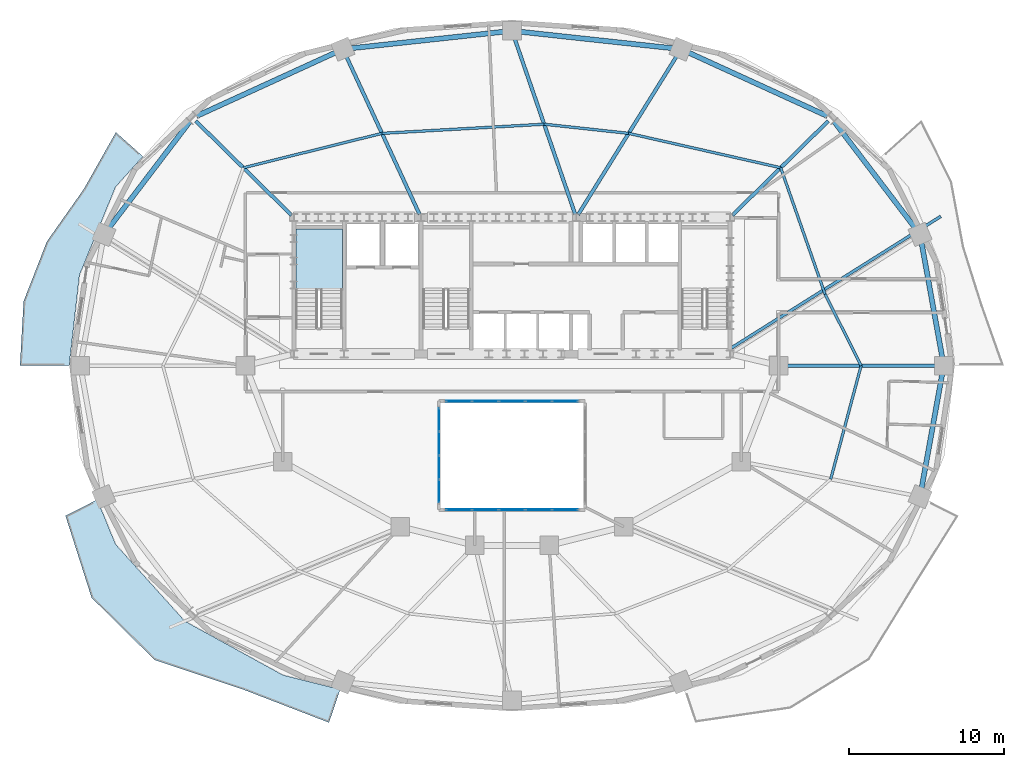
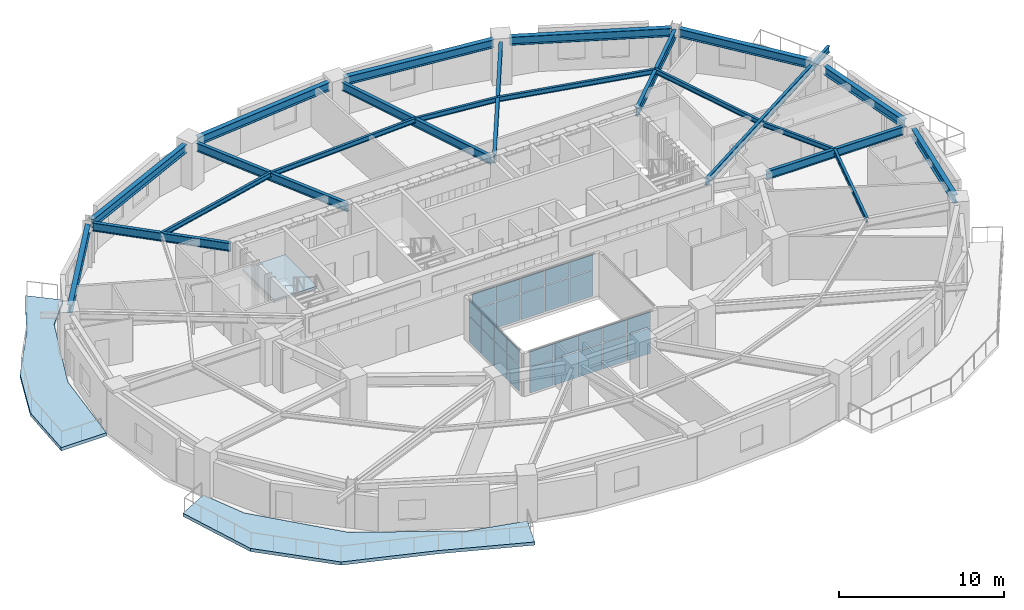
# One storey, part 5 of 13: 28 plates, 22 beams, 3 slabs, 4 elements without a shape of their own.
"""IFC4 building model written with IfcOpenShell, lengths in metres."""

from ifc_helpers import new_model, si_unit, direction, frame, origin, origin_2d, place, context, subcontext, project, spatial, polyline, rectangle, i_section, outline, extrude, material, layer, layer_set, material_profile, profile_set, type_object, element, aggregate, save


model = new_model("IFC4")

# Units and contexts
model_context = context("Model", 3, precision=1e-05, world=origin(), true_north=direction((0.0, 1.0)))
body_context = subcontext(model_context, "Body", "Model", "MODEL_VIEW")
ifc_project = project(units=[si_unit("LENGTHUNIT", "METRE"), si_unit("AREAUNIT", "SQUARE_METRE"), si_unit("VOLUMEUNIT", "CUBIC_METRE"), si_unit("PLANEANGLEUNIT", "RADIAN"), si_unit("MASSUNIT", "GRAM", prefix="KILO")], contexts=[model_context])

# Site, building, storey
site_placement = place(None, origin())
site = spatial("IfcSite", under=ifc_project, at=site_placement, CompositionType="ELEMENT")
building_placement = place(site_placement, origin())
building = spatial("IfcBuilding", under=site, at=building_placement, Name="Haldorwick Loom Tower", CompositionType="ELEMENT")
storey_placement = place(building_placement, frame((0.0, 0.0, 120.800048828125)))
storey = spatial("IfcBuildingStorey", under=building, at=storey_placement, Name="L32", CompositionType="ELEMENT", Elevation=120.800048828125)

# Beams
ifc_material_1 = material(Name="Steel CSA G40.21 350W", Category="steel")
ifc_material_profile_1 = material_profile(ifc_material_1, i_section(OverallWidth=0.193115234375, OverallDepth=0.466064453125, WebThickness=0.011474609375, FlangeThickness=0.01904296875, at=origin_2d()), Name="W460X97", Category="steel")
ifc_profile_set_1 = profile_set([ifc_material_profile_1], Name="Steel CSA G40.21 350W")
beam_type_1 = type_object("IfcBeamType", Name="STR-BM-BAL460", PredefinedType="BEAM", material=ifc_profile_set_1)
beam_1_placement = place(storey_placement, frame((50.111572265625, 27.106689453125, 2.97705078125), z_axis=(0.846609845451, 0.532214026108, 0.0), x_axis=(-0.532214026108, 0.846609845451, 0.0)))
element("IfcBeam", 1, at=beam_1_placement, inside=storey, type_object=beam_type_1, Name="L32 Continuous Back-Spanned Balcony Beam 4", PredefinedType="BEAM", context=body_context, shape_type="SweptSolid", body=[
    extrude(i_section(OverallWidth=0.193115234375, OverallDepth=0.466064453125, WebThickness=0.011474609375, FlangeThickness=0.01904296875, at=origin_2d()), origin(), (0.0, 0.0, 1.0), 16.0068359375),
])
ifc_material_profile_2 = material_profile(ifc_material_1, i_section(OverallWidth=0.172119140625, OverallDepth=0.35791015625, WebThickness=0.0078125, FlangeThickness=0.01318359375, at=origin_2d()), Name="W360X57", Category="steel")
ifc_profile_set_2 = profile_set([ifc_material_profile_2], Name="Steel CSA G40.21 350W")
beam_type_2 = type_object("IfcBeamType", Name="STR-BM-J360", PredefinedType="JOIST", material=ifc_profile_set_2)
beam_2_placement = place(storey_placement, frame((58.52880859375, 26.0, 3.031005859375), z_axis=(-0.451373231558, 0.892335254169, 0.0), x_axis=(-0.892335254169, -0.451373231558, 0.0)))
element("IfcBeam", 2, at=beam_2_placement, inside=storey, type_object=beam_type_2, Name="L32 Mid-Bay Secondary Joist 1", PredefinedType="JOIST", context=body_context, shape_type="SweptSolid", body=[
    extrude(i_section(OverallWidth=0.172119140625, OverallDepth=0.35791015625, WebThickness=0.0078125, FlangeThickness=0.01318359375, at=origin_2d()), origin(), (0.0, 0.0, 1.0), 5.158935546875),
])
beam_3_placement = place(storey_placement, frame((56.2001953125, 30.603515625, 3.031005859375), z_axis=(-0.330864603503, 0.943678236556, 0.0), x_axis=(-0.943678236556, -0.330864603503, 0.0)))
element("IfcBeam", 3, at=beam_3_placement, inside=storey, type_object=beam_type_2, Name="L32 Mid-Bay Secondary Joist 2", PredefinedType="JOIST", context=body_context, shape_type="SweptSolid", body=[
    extrude(i_section(OverallWidth=0.172119140625, OverallDepth=0.35791015625, WebThickness=0.0078125, FlangeThickness=0.01318359375, at=origin_2d()), origin(), (0.0, 0.0, 1.0), 8.6494140625),
])
beam_4_placement = place(storey_placement, frame((53.33837890625, 38.765869140625, 3.031005859375), z_axis=(-0.975380231772, 0.22052982444, 0.0), x_axis=(-0.22052982444, -0.975380231772, 0.0)))
element("IfcBeam", 4, at=beam_4_placement, inside=storey, type_object=beam_type_2, Name="L32 Mid-Bay Secondary Joist 3", PredefinedType="JOIST", context=body_context, shape_type="SweptSolid", body=[
    extrude(i_section(OverallWidth=0.172119140625, OverallDepth=0.35791015625, WebThickness=0.0078125, FlangeThickness=0.01318359375, at=origin_2d()), origin(), (0.0, 0.0, 1.0), 10.0576171875),
])
beam_5_placement = place(storey_placement, frame((43.5283203125, 40.98388671875, 3.031005859375), z_axis=(-0.994191869342, 0.107622148904, 0.0), x_axis=(-0.107622148904, -0.994191869342, 0.0)))
element("IfcBeam", 5, at=beam_5_placement, inside=storey, type_object=beam_type_2, Name="L32 Mid-Bay Secondary Joist 4", PredefinedType="JOIST", context=body_context, shape_type="SweptSolid", body=[
    extrude(i_section(OverallWidth=0.172119140625, OverallDepth=0.35791015625, WebThickness=0.0078125, FlangeThickness=0.01318359375, at=origin_2d()), origin(), (0.0, 0.0, 1.0), 5.485107421875),
])
beam_6_placement = place(storey_placement, frame((38.074951171875, 41.57421875, 3.031005859375), z_axis=(-0.998412171013, -0.056330602457, 0.0), x_axis=(0.056330602457, -0.998412171013, 0.0)))
element("IfcBeam", 6, at=beam_6_placement, inside=storey, type_object=beam_type_2, Name="L32 Mid-Bay Secondary Joist 5", PredefinedType="JOIST", context=body_context, shape_type="SweptSolid", body=[
    extrude(i_section(OverallWidth=0.172119140625, OverallDepth=0.35791015625, WebThickness=0.0078125, FlangeThickness=0.01318359375, at=origin_2d()), origin(), (0.0, 0.0, 1.0), 10.479736328125),
])
beam_7_placement = place(storey_placement, frame((27.61181640625, 40.98388671875, 3.031005859375), z_axis=(-0.970638838364, -0.240541567009, 0.0), x_axis=(0.240541567009, -0.970638838364, 0.0)))
element("IfcBeam", 7, at=beam_7_placement, inside=storey, type_object=beam_type_2, Name="L32 Mid-Bay Secondary Joist 6", PredefinedType="JOIST", context=body_context, shape_type="SweptSolid", body=[
    extrude(i_section(OverallWidth=0.172119140625, OverallDepth=0.35791015625, WebThickness=0.0078125, FlangeThickness=0.01318359375, at=origin_2d()), origin(), (0.0, 0.0, 1.0), 9.220947265625),
])
beam_8_placement = place(storey_placement, frame((56.565185546875, 18.67138671875, 3.031005859375), z_axis=(0.258810072536, 0.965928230436, 0.0), x_axis=(-0.965928230436, 0.258810072536, 0.0)))
element("IfcBeam", 8, at=beam_8_placement, inside=storey, type_object=beam_type_2, Name="L32 Mid-Bay Secondary Joist 16", PredefinedType="JOIST", context=body_context, shape_type="SweptSolid", body=[
    extrude(i_section(OverallWidth=0.172119140625, OverallDepth=0.35791015625, WebThickness=0.0078125, FlangeThickness=0.01318359375, at=origin_2d()), origin(), (0.0, 0.0, 1.0), 7.587158203125),
])
ifc_material_profile_3 = material_profile(ifc_material_1, i_section(OverallWidth=0.324951171875, OverallDepth=0.615966796875, WebThickness=0.013916015625, FlangeThickness=0.021484375, at=origin_2d()), Name="W610X174", Category="steel")
ifc_profile_set_3 = profile_set([ifc_material_profile_3], Name="Steel CSA G40.21 350W")
beam_type_3 = type_object("IfcBeamType", Name="STR-BM-SP610", PredefinedType="SPANDREL", material=ifc_profile_set_3)
beam_9_placement = place(storey_placement, frame((63.76513671875, 26.51171875, 2.90185546875), z_axis=(-0.177659490888, 0.984092020747, 0.0), x_axis=(-0.984092020747, -0.177659490888, 0.0)))
element("IfcBeam", 9, at=beam_9_placement, inside=storey, type_object=beam_type_3, Name="L32 Perimeter Spandrel 1", PredefinedType="SPANDREL", context=body_context, shape_type="SweptSolid", body=[
    extrude(i_section(OverallWidth=0.324951171875, OverallDepth=0.615966796875, WebThickness=0.013916015625, FlangeThickness=0.021484375, at=origin_2d()), origin(), (0.0, 0.0, 1.0), 7.553955078125),
])
beam_10_placement = place(storey_placement, frame((62.015869140625, 34.87109375, 2.90185546875), z_axis=(-0.605453508047, 0.795880675475, 0.0), x_axis=(-0.795880675475, -0.605453508047, 0.0)))
element("IfcBeam", 10, at=beam_10_placement, inside=storey, type_object=beam_type_3, Name="L32 Perimeter Spandrel 2", PredefinedType="SPANDREL", context=body_context, shape_type="SweptSolid", body=[
    extrude(i_section(OverallWidth=0.324951171875, OverallDepth=0.615966796875, WebThickness=0.013916015625, FlangeThickness=0.021484375, at=origin_2d()), origin(), (0.0, 0.0, 1.0), 8.6591796875),
])
beam_11_placement = place(storey_placement, frame((56.356689453125, 42.09619140625, 2.90185546875), z_axis=(-0.909423969306, 0.415870225011, 0.0), x_axis=(-0.415870225011, -0.909423969306, 0.0)))
element("IfcBeam", 11, at=beam_11_placement, inside=storey, type_object=beam_type_3, Name="L32 Perimeter Spandrel 3", PredefinedType="SPANDREL", context=body_context, shape_type="SweptSolid", body=[
    extrude(i_section(OverallWidth=0.324951171875, OverallDepth=0.615966796875, WebThickness=0.013916015625, FlangeThickness=0.021484375, at=origin_2d()), origin(), (0.0, 0.0, 1.0), 9.871337890625),
])
for number, where, z_axis, x_axis, name in (
    (12, (46.389404296875, 46.4736328125, 2.90185546875), (-0.994190135627, 0.107638163409, 0.0), (-0.107638163409, -0.994190135627, 0.0), "L32 Perimeter Spandrel 4"),
    (13, (35.48291015625, 47.54248046875, 2.90185546875), (-0.994190135627, -0.107638163409, 0.0), (0.107638163409, -0.994190135627, 0.0), "L32 Perimeter Spandrel 5"),
):
    element("IfcBeam", number, at=place(storey_placement, frame(where, z_axis=z_axis, x_axis=x_axis)), inside=storey, type_object=beam_type_3, Name=name, PredefinedType="SPANDREL", context=body_context, shape_type="SweptSolid", body=[
        extrude(i_section(OverallWidth=0.324951171875, OverallDepth=0.615966796875, WebThickness=0.013916015625, FlangeThickness=0.021484375, at=origin_2d()), origin(), (0.0, 0.0, 1.0), 9.929931640625),
    ])
beam_12_placement = place(storey_placement, frame((24.62060546875, 46.201416015625, 2.90185546875), z_axis=(-0.909423969306, -0.415870225011, 0.0), x_axis=(0.415870225011, -0.909423969306, 0.0)))
element("IfcBeam", 14, at=beam_12_placement, inside=storey, type_object=beam_type_3, Name="L32 Perimeter Spandrel 6", PredefinedType="SPANDREL", context=body_context, shape_type="SweptSolid", body=[
    extrude(i_section(OverallWidth=0.324951171875, OverallDepth=0.615966796875, WebThickness=0.013916015625, FlangeThickness=0.021484375, at=origin_2d()), origin(), (0.0, 0.0, 1.0), 9.871337890625),
])
beam_13_placement = place(storey_placement, frame((15.226806640625, 41.7626953125, 2.90185546875), z_axis=(-0.605453508047, -0.795880675475, 0.0), x_axis=(0.795880675475, -0.605453508047, 0.0)))
element("IfcBeam", 15, at=beam_13_placement, inside=storey, type_object=beam_type_3, Name="L32 Perimeter Spandrel 7", PredefinedType="SPANDREL", context=body_context, shape_type="SweptSolid", body=[
    extrude(i_section(OverallWidth=0.324951171875, OverallDepth=0.615966796875, WebThickness=0.013916015625, FlangeThickness=0.021484375, at=origin_2d()), origin(), (0.0, 0.0, 1.0), 8.6591796875),
])
beam_14_placement = place(storey_placement, frame((62.423095703125, 18.054443359375, 2.90185546875), z_axis=(0.177659490888, 0.984092020747, 0.0), x_axis=(-0.984092020747, 0.177659490888, 0.0)))
element("IfcBeam", 16, at=beam_14_placement, inside=storey, type_object=beam_type_3, Name="L32 Perimeter Spandrel 16", PredefinedType="SPANDREL", context=body_context, shape_type="SweptSolid", body=[
    extrude(i_section(OverallWidth=0.324951171875, OverallDepth=0.615966796875, WebThickness=0.013916015625, FlangeThickness=0.021484375, at=origin_2d()), origin(), (0.0, 0.0, 1.0), 7.553955078125),
])
ifc_material_profile_4 = material_profile(ifc_material_1, i_section(OverallWidth=0.22998046875, OverallDepth=0.616943359375, WebThickness=0.01318359375, FlangeThickness=0.022216796875, at=origin_2d()), Name="W610X140", Category="steel")
ifc_profile_set_4 = profile_set([ifc_material_profile_4], Name="Steel CSA G40.21 350W")
beam_type_4 = type_object("IfcBeamType", Name="STR-BM-W610B", PredefinedType="BEAM", material=ifc_profile_set_4)
beam_15_placement = place(storey_placement, frame((53.719970703125, 26.0, 2.9013671875), z_axis=(1.0, 0.0, 0.0), x_axis=(0.0, 1.0, 0.0)))
element("IfcBeam", 17, at=beam_15_placement, inside=storey, type_object=beam_type_4, Name="L32 Radial Floor Girder 1", PredefinedType="BEAM", context=body_context, shape_type="SweptSolid", body=[
    extrude(i_section(OverallWidth=0.22998046875, OverallDepth=0.616943359375, WebThickness=0.01318359375, FlangeThickness=0.022216796875, at=origin_2d()), origin(), (0.0, 0.0, 1.0), 9.61767578125),
])
beam_16_placement = place(storey_placement, frame((50.23046875, 35.707763671875, 2.9013671875), z_axis=(0.712813667541, 0.701353459653, 0.0), x_axis=(-0.701353459653, 0.712813667541, 0.0)))
element("IfcBeam", 18, at=beam_16_placement, inside=storey, type_object=beam_type_4, Name="L32 Radial Floor Girder 3", PredefinedType="BEAM", context=body_context, shape_type="SweptSolid", body=[
    extrude(i_section(OverallWidth=0.22998046875, OverallDepth=0.616943359375, WebThickness=0.01318359375, FlangeThickness=0.022216796875, at=origin_2d()), origin(), (0.0, 0.0, 1.0), 8.67041015625),
])
beam_17_placement = place(storey_placement, frame((40.268798828125, 35.7412109375, 2.9013671875), z_axis=(0.527983484361, 0.849254638046, 0.0), x_axis=(-0.849254638046, 0.527983484361, 0.0)))
element("IfcBeam", 19, at=beam_17_placement, inside=storey, type_object=beam_type_4, Name="L32 Radial Floor Girder 4", PredefinedType="BEAM", context=body_context, shape_type="SweptSolid", body=[
    extrude(i_section(OverallWidth=0.22998046875, OverallDepth=0.616943359375, WebThickness=0.01318359375, FlangeThickness=0.022216796875, at=origin_2d()), origin(), (0.0, 0.0, 1.0), 12.051513671875),
])
beam_18_placement = place(storey_placement, frame((40.07666015625, 35.7626953125, 2.9013671875), z_axis=(-0.325673980289, 0.945482130218, 0.0), x_axis=(-0.945482130218, -0.325673980289, 0.0)))
element("IfcBeam", 20, at=beam_18_placement, inside=storey, type_object=beam_type_4, Name="L32 Radial Floor Girder 5", PredefinedType="BEAM", context=body_context, shape_type="SweptSolid", body=[
    extrude(i_section(OverallWidth=0.22998046875, OverallDepth=0.616943359375, WebThickness=0.01318359375, FlangeThickness=0.022216796875, at=origin_2d()), origin(), (0.0, 0.0, 1.0), 11.998046875),
])
beam_19_placement = place(storey_placement, frame((30.035400390625, 35.754150390625, 2.9013671875), z_axis=(-0.420492432459, 0.907296045536, 0.0), x_axis=(-0.907296045536, -0.420492432459, 0.0)))
element("IfcBeam", 21, at=beam_19_placement, inside=storey, type_object=beam_type_4, Name="L32 Radial Floor Girder 6", PredefinedType="BEAM", context=body_context, shape_type="SweptSolid", body=[
    extrude(i_section(OverallWidth=0.22998046875, OverallDepth=0.616943359375, WebThickness=0.01318359375, FlangeThickness=0.022216796875, at=origin_2d()), origin(), (0.0, 0.0, 1.0), 11.23291015625),
])
beam_20_placement = place(storey_placement, frame((21.76953125, 35.707763671875, 2.9013671875), z_axis=(-0.712813667541, 0.701353459653, 0.0), x_axis=(-0.701353459653, -0.712813667541, 0.0)))
element("IfcBeam", 22, at=beam_20_placement, inside=storey, type_object=beam_type_4, Name="L32 Radial Floor Girder 7", PredefinedType="BEAM", context=body_context, shape_type="SweptSolid", body=[
    extrude(i_section(OverallWidth=0.22998046875, OverallDepth=0.616943359375, WebThickness=0.01318359375, FlangeThickness=0.022216796875, at=origin_2d()), origin(), (0.0, 0.0, 1.0), 8.67041015625),
])

# Curtain wall, plates
ifc_material_2 = material(Name="Thermally Broken Anodized Aluminium Curtain Wall Framing", Category="aluminium")
curtain_wall_type = type_object("IfcCurtainWallType", Name="ARC-CW-03", PredefinedType="NOTDEFINED", material=ifc_material_2)
curtain_wall_1_placement = place(storey_placement, origin())
curtain_wall_1 = element("IfcCurtainWall", 23, at=curtain_wall_1_placement, inside=storey, type_object=curtain_wall_type, Name="L32 Atrium Glazed Screen S", PredefinedType="NOTDEFINED")
ifc_material_3 = material(Name="Triple-Glazed Low-E Argon Insulated Glazing Unit", Category="glass")
ifc_layer_1 = layer(ifc_material_3, 0.04296875, Name="Triple-Glazed Low-E Argon Insulated Glazing Unit", Category="glass")
ifc_layer_set_1 = layer_set([ifc_layer_1], Name="Triple-Glazed Low-E Argon Insulated Glazing Unit")
plate_type = type_object("IfcPlateType", Name="ARC-CWP-03", PredefinedType="CURTAIN_PANEL", material=ifc_layer_set_1)
plate_1_placement = place(storey_placement, frame((39.423583984375, 16.699951171875, 0.06591796875), z_axis=(0.0, 0.0, 1.0), x_axis=(-1.0, 0.0, 0.0)))
plate_1 = element("IfcPlate", 24, at=plate_1_placement, type_object=plate_type, Name="CW-03 panel 1.1", PredefinedType="CURTAIN_PANEL", context=body_context, shape_type="SweptSolid", body=[
    extrude(rectangle(XDim=1.62109375, YDim=0.04296875, at=origin_2d()), origin(), (0.0, 0.0, 1.0), 1.90087890625),
])
plate_2_placement = place(storey_placement, frame((39.423583984375, 16.699951171875, 2.03271484375), z_axis=(0.0, 0.0, 1.0), x_axis=(-1.0, 0.0, 0.0)))
plate_2 = element("IfcPlate", 25, at=plate_2_placement, type_object=plate_type, Name="CW-03 panel 1.2", PredefinedType="CURTAIN_PANEL", context=body_context, shape_type="SweptSolid", body=[
    extrude(rectangle(XDim=1.62109375, YDim=0.04296875, at=origin_2d()), origin(), (0.0, 0.0, 1.0), 1.111083984375),
])
plate_3_placement = place(storey_placement, frame((37.719970703125, 16.699951171875, 0.06591796875), z_axis=(0.0, 0.0, 1.0), x_axis=(-1.0, 0.0, 0.0)))
plate_3 = element("IfcPlate", 26, at=plate_3_placement, type_object=plate_type, Name="CW-03 panel 2.1", PredefinedType="CURTAIN_PANEL", context=body_context, shape_type="SweptSolid", body=[
    extrude(rectangle(XDim=1.654052734375, YDim=0.04296875, at=origin_2d()), origin(), (0.0, 0.0, 1.0), 1.90087890625),
])
plate_4_placement = place(storey_placement, frame((37.719970703125, 16.699951171875, 2.03271484375), z_axis=(0.0, 0.0, 1.0), x_axis=(-1.0, 0.0, 0.0)))
plate_4 = element("IfcPlate", 27, at=plate_4_placement, type_object=plate_type, Name="CW-03 panel 2.2", PredefinedType="CURTAIN_PANEL", context=body_context, shape_type="SweptSolid", body=[
    extrude(rectangle(XDim=1.654052734375, YDim=0.04296875, at=origin_2d()), origin(), (0.0, 0.0, 1.0), 1.111083984375),
])
plate_5_placement = place(storey_placement, frame((36.0, 16.699951171875, 0.06591796875), z_axis=(0.0, 0.0, 1.0), x_axis=(-1.0, 0.0, 0.0)))
plate_5 = element("IfcPlate", 28, at=plate_5_placement, type_object=plate_type, Name="CW-03 panel 3.1", PredefinedType="CURTAIN_PANEL", context=body_context, shape_type="SweptSolid", body=[
    extrude(rectangle(XDim=1.654052734375, YDim=0.04296875, at=origin_2d()), origin(), (0.0, 0.0, 1.0), 1.90087890625),
])
plate_6_placement = place(storey_placement, frame((36.0, 16.699951171875, 2.03271484375), z_axis=(0.0, 0.0, 1.0), x_axis=(-1.0, 0.0, 0.0)))
plate_6 = element("IfcPlate", 29, at=plate_6_placement, type_object=plate_type, Name="CW-03 panel 3.2", PredefinedType="CURTAIN_PANEL", context=body_context, shape_type="SweptSolid", body=[
    extrude(rectangle(XDim=1.654052734375, YDim=0.04296875, at=origin_2d()), origin(), (0.0, 0.0, 1.0), 1.111083984375),
])
plate_7_placement = place(storey_placement, frame((34.280029296875, 16.699951171875, 0.06591796875), z_axis=(0.0, 0.0, 1.0), x_axis=(-1.0, 0.0, 0.0)))
plate_7 = element("IfcPlate", 30, at=plate_7_placement, type_object=plate_type, Name="CW-03 panel 4.1", PredefinedType="CURTAIN_PANEL", context=body_context, shape_type="SweptSolid", body=[
    extrude(rectangle(XDim=1.654052734375, YDim=0.04296875, at=origin_2d()), origin(), (0.0, 0.0, 1.0), 1.90087890625),
])
plate_8_placement = place(storey_placement, frame((34.280029296875, 16.699951171875, 2.03271484375), z_axis=(0.0, 0.0, 1.0), x_axis=(-1.0, 0.0, 0.0)))
plate_8 = element("IfcPlate", 31, at=plate_8_placement, type_object=plate_type, Name="CW-03 panel 4.2", PredefinedType="CURTAIN_PANEL", context=body_context, shape_type="SweptSolid", body=[
    extrude(rectangle(XDim=1.654052734375, YDim=0.04296875, at=origin_2d()), origin(), (0.0, 0.0, 1.0), 1.111083984375),
])
plate_9_placement = place(storey_placement, frame((32.576416015625, 16.699951171875, 0.06591796875), z_axis=(0.0, 0.0, 1.0), x_axis=(-1.0, 0.0, 0.0)))
plate_9 = element("IfcPlate", 32, at=plate_9_placement, type_object=plate_type, Name="CW-03 panel 5.1", PredefinedType="CURTAIN_PANEL", context=body_context, shape_type="SweptSolid", body=[
    extrude(rectangle(XDim=1.62109375, YDim=0.04296875, at=origin_2d()), origin(), (0.0, 0.0, 1.0), 1.90087890625),
])
plate_10_placement = place(storey_placement, frame((32.576416015625, 16.699951171875, 2.03271484375), z_axis=(0.0, 0.0, 1.0), x_axis=(-1.0, 0.0, 0.0)))
plate_10 = element("IfcPlate", 33, at=plate_10_placement, type_object=plate_type, Name="CW-03 panel 5.2", PredefinedType="CURTAIN_PANEL", context=body_context, shape_type="SweptSolid", body=[
    extrude(rectangle(XDim=1.62109375, YDim=0.04296875, at=origin_2d()), origin(), (0.0, 0.0, 1.0), 1.111083984375),
])
aggregate(curtain_wall_1, [plate_1, plate_2, plate_3, plate_4, plate_5, plate_6, plate_7, plate_8, plate_9, plate_10])

curtain_wall_2_placement = place(storey_placement, origin())
curtain_wall_2 = element("IfcCurtainWall", 34, at=curtain_wall_2_placement, inside=storey, type_object=curtain_wall_type, Name="L32 Atrium Glazed Screen N", PredefinedType="NOTDEFINED")
plate_11_placement = place(storey_placement, frame((32.576416015625, 23.699951171875, 0.06591796875), z_axis=(0.0, 0.0, 1.0), x_axis=(1.0, 0.0, 0.0)))
plate_11 = element("IfcPlate", 35, at=plate_11_placement, type_object=plate_type, Name="CW-03 panel 1.1", PredefinedType="CURTAIN_PANEL", context=body_context, shape_type="SweptSolid", body=[
    extrude(rectangle(XDim=1.62109375, YDim=0.04296875, at=origin_2d()), origin(), (0.0, 0.0, 1.0), 1.90087890625),
])
plate_12_placement = place(storey_placement, frame((32.576416015625, 23.699951171875, 2.03271484375), z_axis=(0.0, 0.0, 1.0), x_axis=(1.0, 0.0, 0.0)))
plate_12 = element("IfcPlate", 36, at=plate_12_placement, type_object=plate_type, Name="CW-03 panel 1.2", PredefinedType="CURTAIN_PANEL", context=body_context, shape_type="SweptSolid", body=[
    extrude(rectangle(XDim=1.62109375, YDim=0.04296875, at=origin_2d()), origin(), (0.0, 0.0, 1.0), 1.111083984375),
])
plate_13_placement = place(storey_placement, frame((34.280029296875, 23.699951171875, 0.06591796875), z_axis=(0.0, 0.0, 1.0), x_axis=(1.0, 0.0, 0.0)))
plate_13 = element("IfcPlate", 37, at=plate_13_placement, type_object=plate_type, Name="CW-03 panel 2.1", PredefinedType="CURTAIN_PANEL", context=body_context, shape_type="SweptSolid", body=[
    extrude(rectangle(XDim=1.654052734375, YDim=0.04296875, at=origin_2d()), origin(), (0.0, 0.0, 1.0), 1.90087890625),
])
plate_14_placement = place(storey_placement, frame((34.280029296875, 23.699951171875, 2.03271484375), z_axis=(0.0, 0.0, 1.0), x_axis=(1.0, 0.0, 0.0)))
plate_14 = element("IfcPlate", 38, at=plate_14_placement, type_object=plate_type, Name="CW-03 panel 2.2", PredefinedType="CURTAIN_PANEL", context=body_context, shape_type="SweptSolid", body=[
    extrude(rectangle(XDim=1.654052734375, YDim=0.04296875, at=origin_2d()), origin(), (0.0, 0.0, 1.0), 1.111083984375),
])
plate_15_placement = place(storey_placement, frame((36.0, 23.699951171875, 0.06591796875), z_axis=(0.0, 0.0, 1.0), x_axis=(1.0, 0.0, 0.0)))
plate_15 = element("IfcPlate", 39, at=plate_15_placement, type_object=plate_type, Name="CW-03 panel 3.1", PredefinedType="CURTAIN_PANEL", context=body_context, shape_type="SweptSolid", body=[
    extrude(rectangle(XDim=1.654052734375, YDim=0.04296875, at=origin_2d()), origin(), (0.0, 0.0, 1.0), 1.90087890625),
])
plate_16_placement = place(storey_placement, frame((36.0, 23.699951171875, 2.03271484375), z_axis=(0.0, 0.0, 1.0), x_axis=(1.0, 0.0, 0.0)))
plate_16 = element("IfcPlate", 40, at=plate_16_placement, type_object=plate_type, Name="CW-03 panel 3.2", PredefinedType="CURTAIN_PANEL", context=body_context, shape_type="SweptSolid", body=[
    extrude(rectangle(XDim=1.654052734375, YDim=0.04296875, at=origin_2d()), origin(), (0.0, 0.0, 1.0), 1.111083984375),
])
plate_17_placement = place(storey_placement, frame((37.719970703125, 23.699951171875, 0.06591796875), z_axis=(0.0, 0.0, 1.0), x_axis=(1.0, 0.0, 0.0)))
plate_17 = element("IfcPlate", 41, at=plate_17_placement, type_object=plate_type, Name="CW-03 panel 4.1", PredefinedType="CURTAIN_PANEL", context=body_context, shape_type="SweptSolid", body=[
    extrude(rectangle(XDim=1.654052734375, YDim=0.04296875, at=origin_2d()), origin(), (0.0, 0.0, 1.0), 1.90087890625),
])
plate_18_placement = place(storey_placement, frame((37.719970703125, 23.699951171875, 2.03271484375), z_axis=(0.0, 0.0, 1.0), x_axis=(1.0, 0.0, 0.0)))
plate_18 = element("IfcPlate", 42, at=plate_18_placement, type_object=plate_type, Name="CW-03 panel 4.2", PredefinedType="CURTAIN_PANEL", context=body_context, shape_type="SweptSolid", body=[
    extrude(rectangle(XDim=1.654052734375, YDim=0.04296875, at=origin_2d()), origin(), (0.0, 0.0, 1.0), 1.111083984375),
])
plate_19_placement = place(storey_placement, frame((39.423583984375, 23.699951171875, 0.06591796875), z_axis=(0.0, 0.0, 1.0), x_axis=(1.0, 0.0, 0.0)))
plate_19 = element("IfcPlate", 43, at=plate_19_placement, type_object=plate_type, Name="CW-03 panel 5.1", PredefinedType="CURTAIN_PANEL", context=body_context, shape_type="SweptSolid", body=[
    extrude(rectangle(XDim=1.62109375, YDim=0.04296875, at=origin_2d()), origin(), (0.0, 0.0, 1.0), 1.90087890625),
])
plate_20_placement = place(storey_placement, frame((39.423583984375, 23.699951171875, 2.03271484375), z_axis=(0.0, 0.0, 1.0), x_axis=(1.0, 0.0, 0.0)))
plate_20 = element("IfcPlate", 44, at=plate_20_placement, type_object=plate_type, Name="CW-03 panel 5.2", PredefinedType="CURTAIN_PANEL", context=body_context, shape_type="SweptSolid", body=[
    extrude(rectangle(XDim=1.62109375, YDim=0.04296875, at=origin_2d()), origin(), (0.0, 0.0, 1.0), 1.111083984375),
])
aggregate(curtain_wall_2, [plate_11, plate_12, plate_13, plate_14, plate_15, plate_16, plate_17, plate_18, plate_19, plate_20])

curtain_wall_3_placement = place(storey_placement, origin())
curtain_wall_3 = element("IfcCurtainWall", 45, at=curtain_wall_3_placement, inside=storey, type_object=curtain_wall_type, Name="L32 Atrium Glazed Screen W", PredefinedType="NOTDEFINED")
plate_21_placement = place(storey_placement, frame((31.300048828125, 17.8916015625, 0.06591796875), z_axis=(0.0, 0.0, 1.0), x_axis=(0.0, 1.0, 0.0)))
plate_21 = element("IfcPlate", 46, at=plate_21_placement, type_object=plate_type, Name="CW-03 panel 1.1", PredefinedType="CURTAIN_PANEL", context=body_context, shape_type="SweptSolid", body=[
    extrude(rectangle(XDim=1.450927734375, YDim=0.04296875, at=origin_2d()), origin(), (0.0, 0.0, 1.0), 1.90087890625),
])
plate_22_placement = place(storey_placement, frame((31.300048828125, 17.8916015625, 2.03271484375), z_axis=(0.0, 0.0, 1.0), x_axis=(0.0, 1.0, 0.0)))
plate_22 = element("IfcPlate", 47, at=plate_22_placement, type_object=plate_type, Name="CW-03 panel 1.2", PredefinedType="CURTAIN_PANEL", context=body_context, shape_type="SweptSolid", body=[
    extrude(rectangle(XDim=1.450927734375, YDim=0.04296875, at=origin_2d()), origin(), (0.0, 0.0, 1.0), 1.111083984375),
])
plate_23_placement = place(storey_placement, frame((31.300048828125, 19.425048828125, 0.06591796875), z_axis=(0.0, 0.0, 1.0), x_axis=(0.0, 1.0, 0.0)))
plate_23 = element("IfcPlate", 48, at=plate_23_placement, type_object=plate_type, Name="CW-03 panel 2.1", PredefinedType="CURTAIN_PANEL", context=body_context, shape_type="SweptSolid", body=[
    extrude(rectangle(XDim=1.48388671875, YDim=0.04296875, at=origin_2d()), origin(), (0.0, 0.0, 1.0), 1.90087890625),
])
plate_24_placement = place(storey_placement, frame((31.300048828125, 19.425048828125, 2.03271484375), z_axis=(0.0, 0.0, 1.0), x_axis=(0.0, 1.0, 0.0)))
plate_24 = element("IfcPlate", 49, at=plate_24_placement, type_object=plate_type, Name="CW-03 panel 2.2", PredefinedType="CURTAIN_PANEL", context=body_context, shape_type="SweptSolid", body=[
    extrude(rectangle(XDim=1.48388671875, YDim=0.04296875, at=origin_2d()), origin(), (0.0, 0.0, 1.0), 1.111083984375),
])
plate_25_placement = place(storey_placement, frame((31.300048828125, 20.97509765625, 0.06591796875), z_axis=(0.0, 0.0, 1.0), x_axis=(0.0, 1.0, 0.0)))
plate_25 = element("IfcPlate", 50, at=plate_25_placement, type_object=plate_type, Name="CW-03 panel 3.1", PredefinedType="CURTAIN_PANEL", context=body_context, shape_type="SweptSolid", body=[
    extrude(rectangle(XDim=1.48388671875, YDim=0.04296875, at=origin_2d()), origin(), (0.0, 0.0, 1.0), 1.90087890625),
])
plate_26_placement = place(storey_placement, frame((31.300048828125, 20.97509765625, 2.03271484375), z_axis=(0.0, 0.0, 1.0), x_axis=(0.0, 1.0, 0.0)))
plate_26 = element("IfcPlate", 51, at=plate_26_placement, type_object=plate_type, Name="CW-03 panel 3.2", PredefinedType="CURTAIN_PANEL", context=body_context, shape_type="SweptSolid", body=[
    extrude(rectangle(XDim=1.48388671875, YDim=0.04296875, at=origin_2d()), origin(), (0.0, 0.0, 1.0), 1.111083984375),
])
plate_27_placement = place(storey_placement, frame((31.300048828125, 22.508544921875, 0.06591796875), z_axis=(0.0, 0.0, 1.0), x_axis=(0.0, 1.0, 0.0)))
plate_27 = element("IfcPlate", 52, at=plate_27_placement, type_object=plate_type, Name="CW-03 panel 4.1", PredefinedType="CURTAIN_PANEL", context=body_context, shape_type="SweptSolid", body=[
    extrude(rectangle(XDim=1.450927734375, YDim=0.04296875, at=origin_2d()), origin(), (0.0, 0.0, 1.0), 1.90087890625),
])
plate_28_placement = place(storey_placement, frame((31.300048828125, 22.508544921875, 2.03271484375), z_axis=(0.0, 0.0, 1.0), x_axis=(0.0, 1.0, 0.0)))
plate_28 = element("IfcPlate", 53, at=plate_28_placement, type_object=plate_type, Name="CW-03 panel 4.2", PredefinedType="CURTAIN_PANEL", context=body_context, shape_type="SweptSolid", body=[
    extrude(rectangle(XDim=1.450927734375, YDim=0.04296875, at=origin_2d()), origin(), (0.0, 0.0, 1.0), 1.111083984375),
])
aggregate(curtain_wall_3, [plate_21, plate_22, plate_23, plate_24, plate_25, plate_26, plate_27, plate_28])

# Slabs
ifc_material_4 = material(Name="Concrete C40 (40 MPa)", Category="concrete")
ifc_layer_2 = layer(ifc_material_4, 0.239990234375, Name="Concrete C40 (40 MPa)", Category="concrete")
ifc_layer_set_2 = layer_set([ifc_layer_2], Name="Concrete C40 (40 MPa)")
slab_type_1 = type_object("IfcSlabType", Name="STR-SLB-BAL240", PredefinedType="FLOOR", material=ifc_layer_set_2)
slab_1_placement = place(storey_placement, frame((0.0, 0.0, -0.239990234375)))
element("IfcSlab", 54, at=slab_1_placement, inside=storey, type_object=slab_type_1, Name="L32 Sinusoidal Balcony Terrace BAL_SW", PredefinedType="FLOOR", context=body_context, shape_type="SweptSolid", body=[
    extrude(outline(polyline([(24.91259765625, 5.105224609375), (21.23583984375, 6.022705078125), (21.234619140625, 6.023193359375), (21.2333984375, 6.023681640625), (21.232177734375, 6.0244140625), (14.89111328125, 9.51025390625), (14.8896484375, 9.510986328125), (14.88818359375, 9.51220703125), (14.88720703125, 9.51318359375), (10.4228515625, 14.464599609375), (10.421875, 14.465576171875), (10.421142578125, 14.466552734375), (10.420654296875, 14.4677734375), (10.419921875, 14.468994140625), (9.2412109375, 17.34912109375), (7.192626953125, 16.303955078125), (8.8740234375, 11.02294921875), (12.93603515625, 7.01025390625), (18.6640625, 5.097412109375), (24.18798828125, 2.964599609375), (24.91259765625, 5.105224609375)])), origin(), (0.0, 0.0, 1.0), 0.239990234375),
])
slab_2_placement = place(storey_placement, frame((0.0, 0.0, -0.239990234375)))
element("IfcSlab", 55, at=slab_2_placement, inside=storey, type_object=slab_type_1, Name="L32 Sinusoidal Balcony Terrace BAL_WNW", PredefinedType="FLOOR", context=body_context, shape_type="SweptSolid", body=[
    extrude(outline(polyline([(7.427490234375, 26.0), (7.427490234375, 26.001708984375), (8.09033203125, 31.837890625), (8.090576171875, 31.83935546875), (8.0908203125, 31.840576171875), (8.09130859375, 31.841796875), (10.419921875, 37.531005859375), (10.420654296875, 37.5322265625), (10.421142578125, 37.533447265625), (10.421875, 37.534423828125), (10.4228515625, 37.535400390625), (12.186279296875, 39.4912109375), (10.439697265625, 41.05126953125), (8.35986328125, 37.364990234375), (5.98974609375, 34.008056640625), (4.48779296875, 30.1494140625), (4.25390625, 26.0), (7.427490234375, 26.0)])), origin(), (0.0, 0.0, 1.0), 0.239990234375),
])

# Stair, slab
stair_type = type_object("IfcStairType", Name="STR-STR-CORE", PredefinedType="HALF_TURN_STAIR", material=ifc_material_4)
stair_placement = place(storey_placement, origin())
stair = element("IfcStair", 56, at=stair_placement, inside=storey, type_object=stair_type, Name="L32 Exit Stair ST-01", PredefinedType="HALF_TURN_STAIR")
ifc_layer_3 = layer(ifc_material_4, 0.199951171875, Name="Concrete C40 (40 MPa)", Category="concrete")
ifc_layer_set_3 = layer_set([ifc_layer_3], Name="Concrete C40 (40 MPa)")
slab_type_2 = type_object("IfcSlabType", Name="STR-SLB-LAND200", PredefinedType="LANDING", material=ifc_layer_set_3)
slab_3_placement = place(storey_placement, frame((0.0, 0.0, 1.52490234375)))
slab_3 = element("IfcSlab", 57, at=slab_3_placement, type_object=slab_type_2, Name="ST-01 landing 1", PredefinedType="LANDING", context=body_context, shape_type="SweptSolid", body=[
    extrude(outline(polyline([(25.050048828125, 30.919921875), (25.050048828125, 34.800048828125), (22.050048828125, 34.800048828125), (22.050048828125, 30.919921875), (25.050048828125, 30.919921875)])), origin(), (0.0, 0.0, 1.0), 0.199951171875),
])
aggregate(stair, [slab_3])

save(model, "model.ifc")
